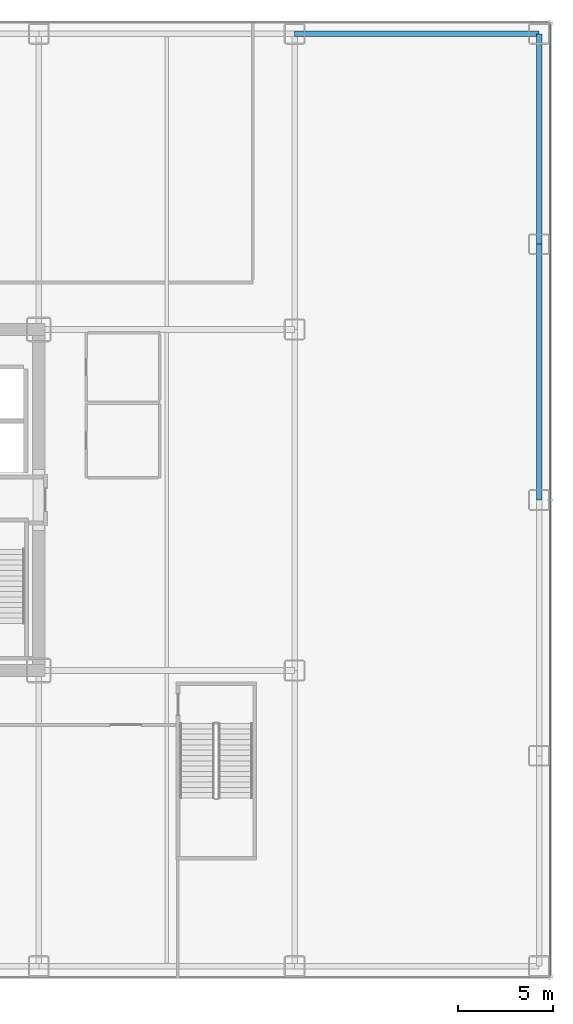
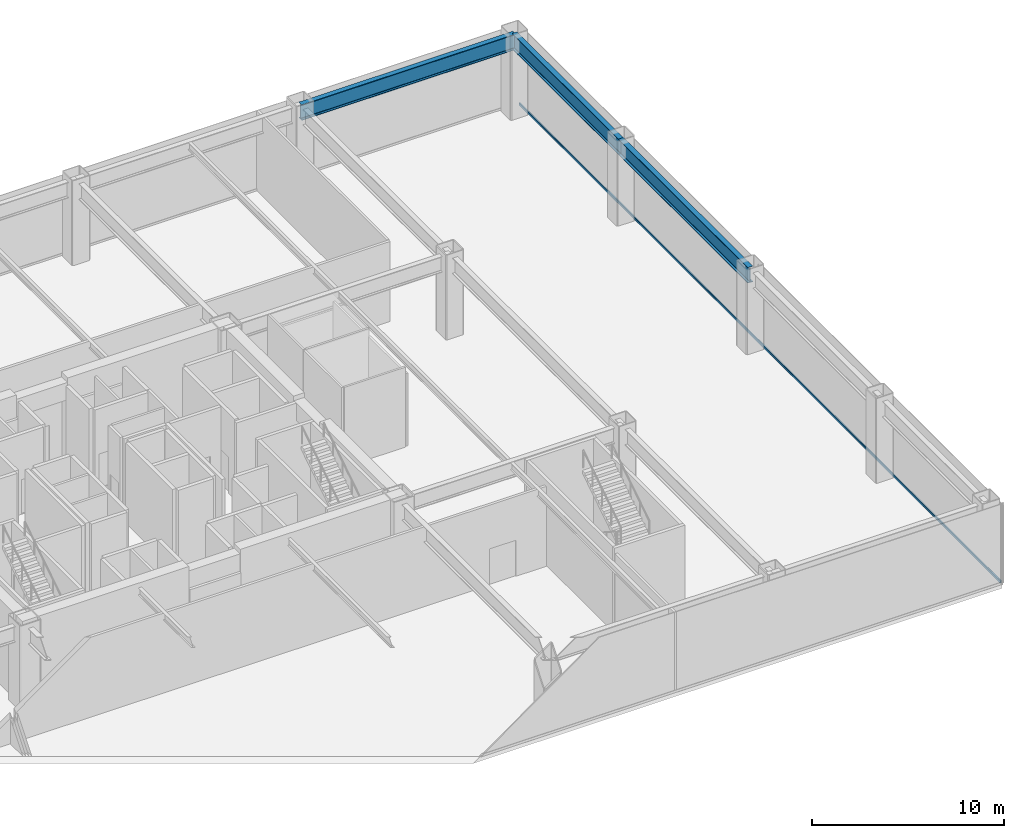
# One storey, part 14 of 24: 3 beams, 1 member, 1 element without a shape of its own.
"""IFC4 building model written with IfcOpenShell, lengths in metres."""

from ifc_helpers import new_model, si_unit, direction, frame, origin, origin_2d, place, context, subcontext, project, spatial, hollow_rectangle, i_section, extrude, source, transform, mapped, material, layer, layer_set, material_profile, profile_set, type_object, element, aggregate, save


model = new_model("IFC4")

# Units and contexts
model_context = context("Model", 3, precision=1e-05, world=origin(), true_north=direction((0.0, 1.0)))
body_context = subcontext(model_context, "Body", "Model", "MODEL_VIEW")
ifc_project = project(units=[si_unit("LENGTHUNIT", "METRE"), si_unit("AREAUNIT", "SQUARE_METRE"), si_unit("VOLUMEUNIT", "CUBIC_METRE"), si_unit("PLANEANGLEUNIT", "RADIAN"), si_unit("MASSUNIT", "GRAM", prefix="KILO")], contexts=[model_context])

# Site, building, storey
site_placement = place(None, origin())
site = spatial("IfcSite", under=ifc_project, at=site_placement, CompositionType="ELEMENT")
building_placement = place(site_placement, origin())
building = spatial("IfcBuilding", under=site, at=building_placement, Name="Nefas-Gora Pilgrimage Tower", CompositionType="ELEMENT")
storey_placement = place(building_placement, frame((0.0, 0.0, 11.39990234375)))
storey = spatial("IfcBuildingStorey", under=building, at=storey_placement, Name="L02", CompositionType="ELEMENT", Elevation=11.39990234375)

# Beams
ifc_material_1 = material(Name="Steel S460", Category="steel")
ifc_material_profile_1 = material_profile(ifc_material_1, i_section(OverallWidth=0.300048828125, OverallDepth=1.0, WebThickness=0.01904296875, FlangeThickness=0.035888671875, FilletRadius=0.030029296875, at=origin_2d()), Name="HEB 1000")
ifc_profile_set_1 = profile_set([ifc_material_profile_1], Name="Steel S460")
beam_type = type_object("IfcBeamType", Name="BM-POD-HEB1000E", PredefinedType="BEAM", material=ifc_profile_set_1)
shared_shape_1 = source(origin(), body_context, "Body", "SweptSolid", [
    extrude(i_section(OverallWidth=0.300048828125, OverallDepth=1.0, WebThickness=0.01904296875, FlangeThickness=0.035888671875, FilletRadius=0.030029296875, at=origin_2d()), origin(), (0.0, 0.0, 1.0), 12.89990234375),
])
beam_1_placement = place(storey_placement, frame((24.75, 24.60009765625, 4.60009765625), z_axis=(1.0, 0.0, 0.0), x_axis=(0.0, 1.0, 0.0)))
element("IfcBeam", 1, at=beam_1_placement, inside=storey, type_object=beam_type, Name="L02 PG-01E beam", PredefinedType="BEAM", context=body_context, shape_type="MappedRepresentation", body=[
    mapped(shared_shape_1, transform((0.0, 0.0, 0.0), x_axis=(1.0, 0.0, 0.0), y_axis=(0.0, 1.0, 0.0), z_axis=(0.0, 0.0, 1.0), scale=1.0)),
])
shared_shape_2 = source(origin(), body_context, "Body", "SweptSolid", [
    extrude(i_section(OverallWidth=0.300048828125, OverallDepth=1.0, WebThickness=0.01904296875, FlangeThickness=0.035888671875, FilletRadius=0.030029296875, at=origin_2d()), origin(), (0.0, 0.0, 1.0), 13.5),
])
beam_2_placement = place(storey_placement, frame((37.64990234375, 0.0, 4.60009765625), z_axis=(0.0, 1.0, 0.0), x_axis=(-1.0, 0.0, 0.0)))
element("IfcBeam", 2, at=beam_2_placement, inside=storey, type_object=beam_type, Name="L02 PG-01E beam", PredefinedType="BEAM", context=body_context, shape_type="MappedRepresentation", body=[
    mapped(shared_shape_2, transform((0.0, 0.0, 0.0), x_axis=(1.0, 0.0, 0.0), y_axis=(0.0, 1.0, 0.0), z_axis=(0.0, 0.0, 1.0), scale=1.0)),
])
shared_shape_3 = source(origin(), body_context, "Body", "SweptSolid", [
    extrude(i_section(OverallWidth=0.300048828125, OverallDepth=1.0, WebThickness=0.01904296875, FlangeThickness=0.035888671875, FilletRadius=0.030029296875, at=origin_2d()), origin(), (0.0, 0.0, 1.0), 11.10009765625),
])
beam_3_placement = place(storey_placement, frame((37.64990234375, 13.5, 4.60009765625), z_axis=(0.0, 1.0, 0.0), x_axis=(-1.0, 0.0, 0.0)))
element("IfcBeam", 3, at=beam_3_placement, inside=storey, type_object=beam_type, Name="L02 PG-01E beam", PredefinedType="BEAM", context=body_context, shape_type="MappedRepresentation", body=[
    mapped(shared_shape_3, transform((0.0, 0.0, 0.0), x_axis=(1.0, 0.0, 0.0), y_axis=(0.0, 1.0, 0.0), z_axis=(0.0, 0.0, 1.0), scale=1.0)),
])

# Curtain wall, member
ifc_material_2 = material(Name="Dark ceramic-fritted solar-control aluminium-glass curtain wall", Category="aluminium")
ifc_layer = layer(ifc_material_2, 0.219970703125)
ifc_layer_set = layer_set([ifc_layer], Name="Dark ceramic-fritted solar-control aluminium-glass curtain wall")
curtain_wall_type = type_object("IfcCurtainWallType", Name="CW-SYS-1", PredefinedType="NOTDEFINED", material=ifc_layer_set)
curtain_wall_placement = place(storey_placement, origin())
curtain_wall = element("IfcCurtainWall", 4, at=curtain_wall_placement, inside=storey, type_object=curtain_wall_type, Name="L02 Unitised Curtain Wall CW1", PredefinedType="NOTDEFINED")
ifc_material_3 = material(Name="Anodised architectural aluminium", Category="aluminium")
ifc_material_profile_2 = material_profile(ifc_material_3, hollow_rectangle(XDim=0.080078125, YDim=0.159912109375, WallThickness=0.00439453125, InnerFilletRadius=0.00439453125, OuterFilletRadius=0.009033203125, at=origin_2d()), Name="ALU TRANSOM 80x160")
ifc_profile_set_2 = profile_set([ifc_material_profile_2], Name="Anodised architectural aluminium")
member_type = type_object("IfcMemberType", Name="CWM-TRN-1", PredefinedType="USERDEFINED", material=ifc_profile_set_2)
shared_shape_4 = source(origin(), body_context, "Body", "SweptSolid", [
    extrude(hollow_rectangle(XDim=0.080078125, YDim=0.159912109375, WallThickness=0.00439453125, InnerFilletRadius=0.00439453125, OuterFilletRadius=0.009033203125, at=origin_2d()), origin(), (0.0, 0.0, 1.0), 50.22021484375),
])
member_placement = place(storey_placement, frame((38.25, -25.110107421875, 0.050048828125), z_axis=(0.0, 1.0, 0.0), x_axis=(-1.0, 0.0, 0.0)))
member = element("IfcMember", 5, at=member_placement, type_object=member_type, Name="CW1 Spandrel Transom", ObjectType="TRANSOM", PredefinedType="USERDEFINED", context=body_context, shape_type="MappedRepresentation", body=[
    mapped(shared_shape_4, transform((0.0, 0.0, 0.0), x_axis=(1.0, 0.0, 0.0), y_axis=(0.0, 1.0, 0.0), z_axis=(0.0, 0.0, 1.0), scale=1.0)),
])
aggregate(curtain_wall, [member])

save(model, "model.ifc")
